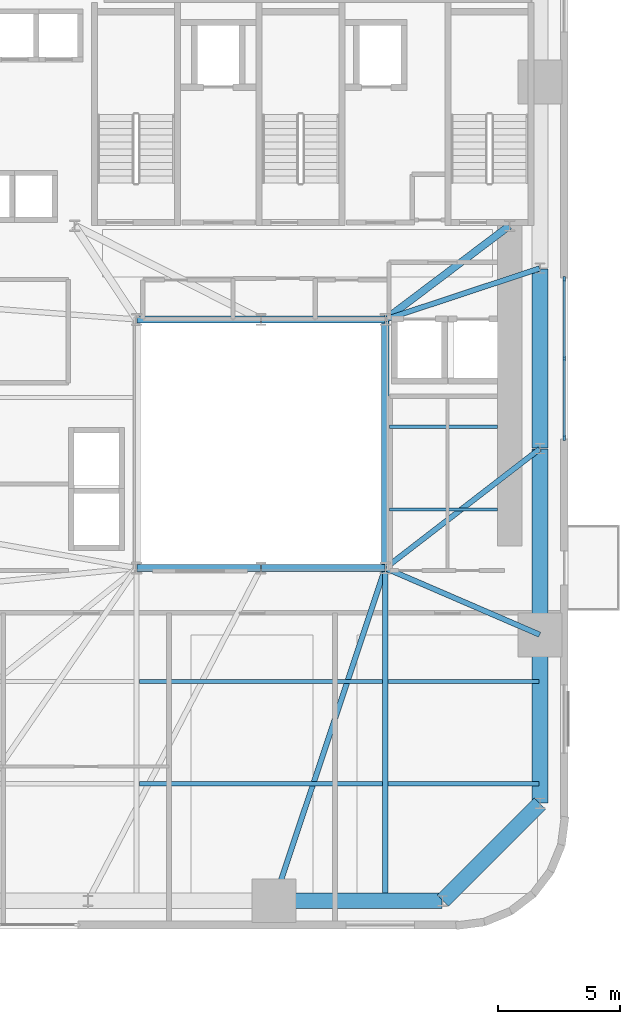
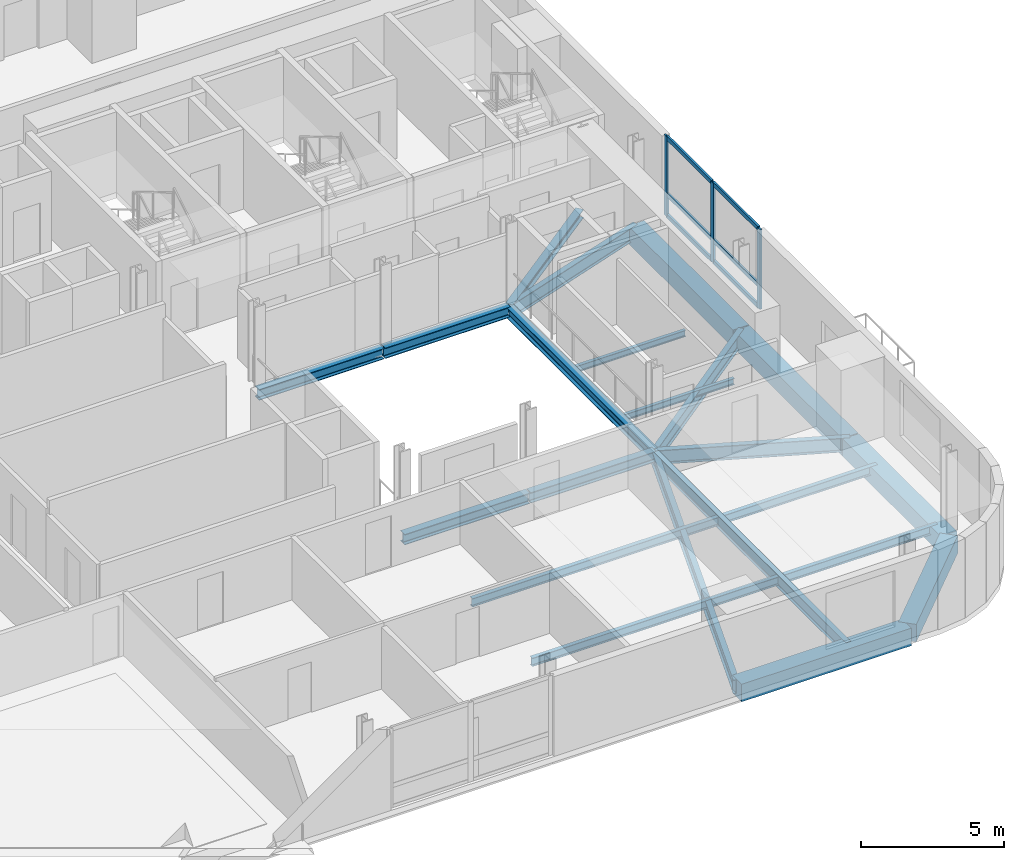
# One storey, part 3 of 11: 22 beams, 9 members, 1 element without a shape of its own.
"""IFC4 building model written with IfcOpenShell, lengths in metres."""

import ifcopenshell
import ifcopenshell.guid

model = None  # the IFC model being written
_history = None  # IfcOwnerHistory: only IFC2X3 demands one
_inside = {}  # id of a spatial element -> (the spatial element, [elements in it])
_under = {}  # id of a project, library or spatial element -> (it, [spatial elements below it])
_declared = {}  # id of a project -> (the project, [libraries it declares])
_typed = {}  # id of a type object -> (the type object, [elements of that type])
_made_of = {}  # id of a material, layer set ... -> (it, [elements and type objects made of it])


def new_model(schema):
    """Start an empty IFC model of exactly this schema.

    Asked for "IFC4X3", IfcOpenShell would pick the latest addendum, in which some entities
    have other attributes; the version numbers below select the first issue.
    IFC2X3 requires an IfcOwnerHistory on every rooted entity: one is made here for all.
    """
    global model, _history
    if schema == "IFC4X3":
        model = ifcopenshell.file(schema_version=(4, 3, 0, 0))
    else:
        model = ifcopenshell.file(schema=schema)
    _inside.clear()
    _under.clear()
    _declared.clear()
    _typed.clear()
    _made_of.clear()
    _history = None
    if model.schema == "IFC2X3":
        org = make("IfcOrganization", Name="unknown")
        user = make(
            "IfcPersonAndOrganization",
            ThePerson=make("IfcPerson", FamilyName="unknown"),
            TheOrganization=org,
        )
        app = make(
            "IfcApplication",
            ApplicationDeveloper=org,
            Version="unknown",
            ApplicationFullName="unknown",
            ApplicationIdentifier="unknown",
        )
        _history = make(
            "IfcOwnerHistory",
            OwningUser=user,
            OwningApplication=app,
            ChangeAction="ADDED",
            CreationDate=0,
        )
    return model


def make(cls, **values):
    """One entity of the class cls with the attributes given. An attribute that is None is left unset."""
    return model.create_entity(
        cls, **{name: value for name, value in values.items() if value is not None}
    )


def rooted(cls, **values):
    """An entity with a GlobalId (a new one), such as an element, a storey or a relation."""
    return make(cls, GlobalId=ifcopenshell.guid.new(), OwnerHistory=_history, **values)


def si_unit(unit_type, name, prefix=None):
    """IfcSIUnit, for example si_unit("LENGTHUNIT", "METRE", prefix="MILLI")."""
    return make("IfcSIUnit", UnitType=unit_type, Prefix=prefix, Name=name)


def assignment(units):
    """IfcUnitAssignment: the units of a project."""
    return None if units is None else make("IfcUnitAssignment", Units=units)


def point(xyz):
    """IfcCartesianPoint."""
    return None if xyz is None else make("IfcCartesianPoint", Coordinates=xyz)


def direction(xyz):
    """IfcDirection."""
    return None if xyz is None else make("IfcDirection", DirectionRatios=xyz)


def frame(location, z_axis=None, x_axis=None):
    """IfcAxis2Placement3D, a coordinate frame: its origin and axes. An axis left out is left unset."""
    return make(
        "IfcAxis2Placement3D",
        Location=point(location),
        Axis=direction(z_axis),
        RefDirection=direction(x_axis),
    )


def frame_2d(location, x_axis=None):
    """IfcAxis2Placement2D, a coordinate frame in the plane: its origin and x axis."""
    return make(
        "IfcAxis2Placement2D", Location=point(location), RefDirection=direction(x_axis)
    )


def origin():
    """The frame at (0, 0, 0) with its axes left unset."""
    return frame((0.0, 0.0, 0.0))


def origin_2d():
    """The frame at (0, 0) in the plane with its x axis left unset."""
    return frame_2d((0.0, 0.0))


def place(relative_to, where):
    """IfcLocalPlacement: puts the frame where relative to a parent placement (None: the world)."""
    return make(
        "IfcLocalPlacement", PlacementRelTo=relative_to, RelativePlacement=where
    )


def context(
    kind, dimensions, precision=None, world=None, true_north=None, identifier=None
):
    """IfcGeometricRepresentationContext, for example the 3D "Model" context."""
    return make(
        "IfcGeometricRepresentationContext",
        ContextIdentifier=identifier,
        ContextType=kind,
        CoordinateSpaceDimension=dimensions,
        Precision=precision,
        WorldCoordinateSystem=world,
        TrueNorth=true_north,
    )


def subcontext(parent, identifier, kind, view, scale=None):
    """IfcGeometricRepresentationSubContext, for example "Body" below "Model"."""
    return make(
        "IfcGeometricRepresentationSubContext",
        ContextIdentifier=identifier,
        ContextType=kind,
        ParentContext=parent,
        TargetScale=scale,
        TargetView=view,
    )


def project(units=None, contexts=None):
    """IfcProject with its units and contexts."""
    return rooted(
        "IfcProject",
        Name="project",
        RepresentationContexts=contexts,
        UnitsInContext=assignment(units),
    )


def spatial(cls, under=None, at=None, **own):
    """A site, building, storey or space (cls), placed at a placement, below another one or the project."""
    s = rooted(cls, ObjectPlacement=at, **own)
    if under is not None:
        _under.setdefault(under.id(), (under, []))[1].append(s)
    return s


def profile(cls, at=None, kind="AREA", **sizes):
    """A parametric profile (cls). Its sizes go by their IFC names, for example OverallWidth=200.0."""
    return make(cls, ProfileType=kind, Position=at, **sizes)


def rectangle(**sizes):
    """IfcRectangleProfileDef."""
    return profile("IfcRectangleProfileDef", **sizes)


def i_section(**sizes):
    """IfcIShapeProfileDef."""
    return profile("IfcIShapeProfileDef", **sizes)


def extrude(swept, where, along, depth):
    """IfcExtrudedAreaSolid: the profile swept, set in the frame where, extruded along a direction by depth."""
    return make(
        "IfcExtrudedAreaSolid",
        SweptArea=swept,
        Position=where,
        ExtrudedDirection=direction(along),
        Depth=depth,
    )


def shape(context_of_items, identifier, shape_type, items):
    """IfcShapeRepresentation: the items that make up one representation, for example the "Body"."""
    return make(
        "IfcShapeRepresentation",
        ContextOfItems=context_of_items,
        RepresentationIdentifier=identifier,
        RepresentationType=shape_type,
        Items=items,
    )


def source(mapping_origin, context_of_items, identifier, shape_type, items):
    """IfcRepresentationMap: a shape defined once, which mapped items show again and again."""
    return make(
        "IfcRepresentationMap",
        MappingOrigin=mapping_origin,
        MappedRepresentation=shape(context_of_items, identifier, shape_type, items),
    )


def transform(
    local_origin,
    x_axis=None,
    y_axis=None,
    z_axis=None,
    scale=None,
    scale2=None,
    scale3=None,
    uniform=True,
):
    """IfcCartesianTransformationOperator3D, or its non-uniform kind. x_axis, y_axis, z_axis: its Axis1, 2, 3."""
    if uniform:
        return make(
            "IfcCartesianTransformationOperator3D",
            Axis1=direction(x_axis),
            Axis2=direction(y_axis),
            LocalOrigin=point(local_origin),
            Scale=scale,
            Axis3=direction(z_axis),
        )
    return make(
        "IfcCartesianTransformationOperator3DnonUniform",
        Axis1=direction(x_axis),
        Axis2=direction(y_axis),
        LocalOrigin=point(local_origin),
        Scale=scale,
        Axis3=direction(z_axis),
        Scale2=scale2,
        Scale3=scale3,
    )


def mapped(mapping_source, mapping_target):
    """IfcMappedItem: shows the shape of a source again, moved by a transform."""
    return make(
        "IfcMappedItem", MappingSource=mapping_source, MappingTarget=mapping_target
    )


def material(Name=None, Category=None):
    """IfcMaterial."""
    return make("IfcMaterial", Name=Name, Category=Category)


def material_profile(
    of_material, cross_section, Name=None, Category=None, Priority=None
):
    """IfcMaterialProfile: a cross section and its material."""
    return make(
        "IfcMaterialProfile",
        Name=Name,
        Material=of_material,
        Profile=cross_section,
        Priority=Priority,
        Category=Category,
    )


def profile_set(profiles, Name=None, composite=None):
    """IfcMaterialProfileSet."""
    return make(
        "IfcMaterialProfileSet",
        Name=Name,
        MaterialProfiles=profiles,
        CompositeProfile=composite,
    )


def made_of(thing, what):
    """Note that an element or type object is made of a material, layer set ...; save() writes the relation."""
    if what is not None:
        _made_of.setdefault(what.id(), (what, []))[1].append(thing)
    return thing


def type_object(cls, material=None, **own):
    """A type object (cls), such as IfcWallType, which elements share."""
    return made_of(rooted(cls, **own), material)


def element(
    cls,
    number,
    at=None,
    inside=None,
    cuts=None,
    type_object=None,
    material=None,
    context=None,
    identifier="Body",
    shape_type=None,
    held_by="IfcProductDefinitionShape",
    body=None,
    shapes=None,
    **own,
):
    """One element of the class cls, such as IfcWall. Its Tag is "e" and its number.

    at: its placement. inside: the storey or other place that contains it. cuts: it is an
    opening in that element (IfcRelVoidsElement). A single representation is given by context,
    identifier, shape_type and body (its items); several are given by shapes. held_by: the class
    of the entity that holds the representations. save() writes the other relations.
    """
    e = rooted(cls, Tag="e%d" % number, ObjectPlacement=at, **own)
    if body is not None:
        shapes = [shape(context, identifier, shape_type, body)]
    if shapes is not None:
        e.Representation = make(held_by, Representations=shapes)
    if inside is not None:
        _inside.setdefault(inside.id(), (inside, []))[1].append(e)
    if cuts is not None:
        rooted(
            "IfcRelVoidsElement", RelatingBuildingElement=cuts, RelatedOpeningElement=e
        )
    if type_object is not None:
        _typed.setdefault(type_object.id(), (type_object, []))[1].append(e)
    return made_of(e, material)


def aggregate(whole, parts):
    """IfcRelAggregates: a whole, such as a stair, and the parts it consists of."""
    return rooted("IfcRelAggregates", RelatingObject=whole, RelatedObjects=parts)


def save(model, path):
    """Write the relations noted so far, then the file.

    IfcRelAggregates (storeys below a building ...), IfcRelContainedInSpatialStructure (elements
    in a storey), IfcRelDefinesByType, IfcRelAssociatesMaterial and IfcRelDeclares: one each for
    every whole, place, type object, material and project.
    """
    for whole, parts in _under.values():
        aggregate(whole, parts)
    for where, things in _inside.values():
        rooted(
            "IfcRelContainedInSpatialStructure",
            RelatedElements=things,
            RelatingStructure=where,
        )
    for kind, things in _typed.values():
        rooted("IfcRelDefinesByType", RelatedObjects=things, RelatingType=kind)
    for what, things in _made_of.values():
        rooted("IfcRelAssociatesMaterial", RelatedObjects=things, RelatingMaterial=what)
    for by, libraries in _declared.values():
        rooted("IfcRelDeclares", RelatingContext=by, RelatedDefinitions=libraries)
    model.write(path)


model = new_model("IFC4")

# Units and contexts
model_context = context("Model", 3, precision=1e-05, world=origin(), true_north=direction((0.0, 1.0)))
body_context = subcontext(model_context, "Body", "Model", "MODEL_VIEW")
ifc_project = project(units=[si_unit("LENGTHUNIT", "METRE"), si_unit("AREAUNIT", "SQUARE_METRE"), si_unit("VOLUMEUNIT", "CUBIC_METRE"), si_unit("PLANEANGLEUNIT", "RADIAN"), si_unit("MASSUNIT", "GRAM", prefix="KILO")], contexts=[model_context])

# Site, building, storey
site_placement = place(None, origin())
site = spatial("IfcSite", under=ifc_project, at=site_placement, CompositionType="ELEMENT")
building_placement = place(site_placement, origin())
building = spatial("IfcBuilding", under=site, at=building_placement, Name="Vardaveli Station Tower", CompositionType="ELEMENT")
storey_placement = place(building_placement, frame((0.0, 0.0, 78.699951171875)))
storey = spatial("IfcBuildingStorey", under=building, at=storey_placement, Name="L20", CompositionType="ELEMENT", Elevation=78.699951171875)

# Beams
ifc_material_1 = material(Name="Structural steel S355J2", Category="steel")
ifc_material_profile_1 = material_profile(ifc_material_1, i_section(OverallWidth=0.300048828125, OverallDepth=0.449951171875, WebThickness=0.013916015625, FlangeThickness=0.02587890625, FilletRadius=0.027099609375, at=origin_2d()), Name="HEB 450")
ifc_profile_set_1 = profile_set([ifc_material_profile_1], Name="Structural steel S355J2")
beam_type_1 = type_object("IfcBeamType", Name="BM-HEB450", PredefinedType="BEAM", material=ifc_profile_set_1)
shared_shape_1 = source(origin(), body_context, "Body", "SweptSolid", [
    extrude(i_section(OverallWidth=0.300048828125, OverallDepth=0.449951171875, WebThickness=0.013916015625, FlangeThickness=0.02587890625, FilletRadius=0.027099609375, at=origin_2d()), origin(), (0.0, 0.0, 1.0), 5.06005859375),
])
for number, where, z_axis, x_axis, name in (
    (1, (31.219970703125, 16.60009765625, -0.46484375), (1.0, 0.0, 0.0), (0.0, 1.0, 0.0), "ABM-L20-01"),
    (2, (36.280029296875, 26.800048828125, -0.46484375), (-1.0, 0.0, 0.0), (0.0, -1.0, 0.0), "ABM-L20-05"),
):
    element("IfcBeam", number, at=place(storey_placement, frame(where, z_axis=z_axis, x_axis=x_axis)), inside=storey, type_object=beam_type_1, Name=name, PredefinedType="BEAM", context=body_context, shape_type="MappedRepresentation", body=[
        mapped(shared_shape_1, transform((0.0, 0.0, 0.0), scale=1.0)),
    ])
shared_shape_2 = source(origin(), body_context, "Body", "SweptSolid", [
    extrude(i_section(OverallWidth=0.300048828125, OverallDepth=0.449951171875, WebThickness=0.013916015625, FlangeThickness=0.02587890625, FilletRadius=0.027099609375, at=origin_2d()), origin(), (0.0, 0.0, 1.0), 5.059814453125),
])
for number, where, z_axis, x_axis, name in (
    (3, (36.320068359375, 16.60009765625, -0.46484375), (1.0, 0.0, 0.0), (0.0, 1.0, 0.0), "ABM-L20-02"),
    (4, (41.3798828125, 26.800048828125, -0.46484375), (-1.0, 0.0, 0.0), (0.0, -1.0, 0.0), "ABM-L20-04"),
):
    element("IfcBeam", number, at=place(storey_placement, frame(where, z_axis=z_axis, x_axis=x_axis)), inside=storey, type_object=beam_type_1, Name=name, PredefinedType="BEAM", context=body_context, shape_type="MappedRepresentation", body=[
        mapped(shared_shape_2, transform((0.0, 0.0, 0.0), scale=1.0)),
    ])
shared_shape_3 = source(origin(), body_context, "Body", "SweptSolid", [
    extrude(i_section(OverallWidth=0.300048828125, OverallDepth=0.449951171875, WebThickness=0.013916015625, FlangeThickness=0.02587890625, FilletRadius=0.027099609375, at=origin_2d()), origin(), (0.0, 0.0, 1.0), 10.159912109375),
])
beam_1_placement = place(storey_placement, frame((41.39990234375, 16.6201171875, -0.46484375), z_axis=(0.0, 1.0, 0.0), x_axis=(-1.0, 0.0, 0.0)))
element("IfcBeam", 5, at=beam_1_placement, inside=storey, type_object=beam_type_1, Name="ABM-L20-03", PredefinedType="BEAM", context=body_context, shape_type="MappedRepresentation", body=[
    mapped(shared_shape_3, transform((0.0, 0.0, 0.0), scale=1.0)),
])
ifc_material_profile_2 = material_profile(ifc_material_1, i_section(OverallWidth=0.300048828125, OverallDepth=0.360107421875, WebThickness=0.012451171875, FlangeThickness=0.0224609375, FilletRadius=0.027099609375, at=origin_2d()), Name="HEB 360")
ifc_profile_set_2 = profile_set([ifc_material_profile_2], Name="Structural steel S355J2")
beam_type_2 = type_object("IfcBeamType", Name="BM-HEB360", PredefinedType="BEAM", material=ifc_profile_set_2)
shared_shape_4 = source(origin(), body_context, "Body", "SweptSolid", [
    extrude(i_section(OverallWidth=0.300048828125, OverallDepth=0.360107421875, WebThickness=0.012451171875, FlangeThickness=0.0224609375, FilletRadius=0.027099609375, at=origin_2d()), origin(), (0.0, 0.0, 1.0), 6.35009765625),
])
beam_2_placement = place(storey_placement, frame((41.416015625, 26.81201171875, -0.419921875), z_axis=(0.798118337722, 0.602500721154, 0.0), x_axis=(-0.602500721154, 0.798118337722, 0.0)))
element("IfcBeam", 6, at=beam_2_placement, inside=storey, type_object=beam_type_2, Name="CBM-L20-02", PredefinedType="BEAM", context=body_context, shape_type="MappedRepresentation", body=[
    mapped(shared_shape_4, transform((0.0, 0.0, 0.0), scale=1.0)),
])
ifc_material_2 = material(Name="Precast concrete C45/55", Category="concrete")
ifc_material_profile_3 = material_profile(ifc_material_2, rectangle(XDim=0.64990234375, YDim=0.75, at=origin_2d()), Name="LPB 650x750")
ifc_profile_set_3 = profile_set([ifc_material_profile_3], Name="Precast concrete C45/55")
beam_type_3 = type_object("IfcBeamType", Name="BM-LPB-750", PredefinedType="BEAM", material=ifc_profile_set_3)
shared_shape_5 = source(origin(), body_context, "Body", "SweptSolid", [
    extrude(rectangle(XDim=0.64990234375, YDim=0.75, at=origin_2d()), origin(), (0.0, 0.0, 1.0), 7.60009765625),
])
beam_3_placement = place(storey_placement, frame((47.75, 13.8798828125, -0.614990234375), z_axis=(0.0, 1.0, 0.0), x_axis=(-1.0, 0.0, 0.0)))
element("IfcBeam", 7, at=beam_3_placement, inside=storey, type_object=beam_type_3, Name="RBM-L20-07", PredefinedType="BEAM", context=body_context, shape_type="MappedRepresentation", body=[
    mapped(shared_shape_5, transform((0.0, 0.0, 0.0), scale=1.0)),
])
shared_shape_6 = source(origin(), body_context, "Body", "SweptSolid", [
    extrude(rectangle(XDim=0.64990234375, YDim=0.75, at=origin_2d()), origin(), (0.0, 0.0, 1.0), 7.35986328125),
])
beam_4_placement = place(storey_placement, frame((47.75, 21.52001953125, -0.614990234375), z_axis=(0.0, 1.0, 0.0), x_axis=(-1.0, 0.0, 0.0)))
element("IfcBeam", 8, at=beam_4_placement, inside=storey, type_object=beam_type_3, Name="RBM-L20-08", PredefinedType="BEAM", context=body_context, shape_type="MappedRepresentation", body=[
    mapped(shared_shape_6, transform((0.0, 0.0, 0.0), scale=1.0)),
])
shared_shape_7 = source(origin(), body_context, "Body", "SweptSolid", [
    extrude(rectangle(XDim=0.64990234375, YDim=0.75, at=origin_2d()), origin(), (0.0, 0.0, 1.0), 6.869873046875),
])
beam_5_placement = place(storey_placement, frame((36.860107421875, 2.949951171875, -0.614990234375), z_axis=(1.0, 0.0, 0.0), x_axis=(0.0, 1.0, 0.0)))
element("IfcBeam", 9, at=beam_5_placement, inside=storey, type_object=beam_type_3, Name="RBM-L20-04", PredefinedType="BEAM", context=body_context, shape_type="MappedRepresentation", body=[
    mapped(shared_shape_7, transform((0.0, 0.0, 0.0), scale=1.0)),
])
shared_shape_8 = source(origin(), body_context, "Body", "SweptSolid", [
    extrude(rectangle(XDim=0.64990234375, YDim=0.75, at=origin_2d()), origin(), (0.0, 0.0, 1.0), 5.61669921875),
])
beam_6_placement = place(storey_placement, frame((43.76416015625, 2.964111328125, -0.614990234375), z_axis=(0.707106781187, 0.707106781187, 0.0), x_axis=(-0.707106781187, 0.707106781187, 0.0)))
element("IfcBeam", 10, at=beam_6_placement, inside=storey, type_object=beam_type_3, Name="RBM-L20-05", PredefinedType="BEAM", context=body_context, shape_type="MappedRepresentation", body=[
    mapped(shared_shape_8, transform((0.0, 0.0, 0.0), scale=1.0)),
])
shared_shape_9 = source(origin(), body_context, "Body", "SweptSolid", [
    extrude(rectangle(XDim=0.64990234375, YDim=0.75, at=origin_2d()), origin(), (0.0, 0.0, 1.0), 6.8701171875),
])
beam_7_placement = place(storey_placement, frame((47.75, 6.969970703125, -0.614990234375), z_axis=(0.0, 1.0, 0.0), x_axis=(-1.0, 0.0, 0.0)))
element("IfcBeam", 11, at=beam_7_placement, inside=storey, type_object=beam_type_3, Name="RBM-L20-06", PredefinedType="BEAM", context=body_context, shape_type="MappedRepresentation", body=[
    mapped(shared_shape_9, transform((0.0, 0.0, 0.0), scale=1.0)),
])
ifc_material_profile_4 = material_profile(ifc_material_1, i_section(OverallWidth=0.219970703125, OverallDepth=0.60009765625, WebThickness=0.011962890625, FlangeThickness=0.01904296875, FilletRadius=0.02392578125, at=origin_2d()), Name="IPE 600")
ifc_profile_set_4 = profile_set([ifc_material_profile_4], Name="Structural steel S355J2")
beam_type_4 = type_object("IfcBeamType", Name="BM-IPE600", PredefinedType="BEAM", material=ifc_profile_set_4)
shared_shape_10 = source(origin(), body_context, "Body", "SweptSolid", [
    extrude(i_section(OverallWidth=0.219970703125, OverallDepth=0.60009765625, WebThickness=0.011962890625, FlangeThickness=0.01904296875, FilletRadius=0.02392578125, at=origin_2d()), origin(), (0.0, 0.0, 1.0), 14.3515625),
])
beam_8_placement = place(storey_placement, frame((36.846435546875, 2.968994140625, -0.5400390625), z_axis=(0.316840115921, 0.948478961782, 0.0), x_axis=(-0.948478961782, 0.316840115921, 0.0)))
element("IfcBeam", 12, at=beam_8_placement, inside=storey, type_object=beam_type_4, Name="GBM-L20-04", PredefinedType="BEAM", context=body_context, shape_type="MappedRepresentation", body=[
    mapped(shared_shape_10, transform((0.0, 0.0, 0.0), scale=1.0)),
])
shared_shape_11 = source(origin(), body_context, "Body", "SweptSolid", [
    extrude(i_section(OverallWidth=0.219970703125, OverallDepth=0.60009765625, WebThickness=0.011962890625, FlangeThickness=0.01904296875, FilletRadius=0.02392578125, at=origin_2d()), origin(), (0.0, 0.0, 1.0), 6.8759765625),
])
beam_9_placement = place(storey_placement, frame((47.731689453125, 13.867919921875, -0.5400390625), z_axis=(-0.918170694621, 0.396185026899, 0.0), x_axis=(-0.396185026899, -0.918170694621, 0.0)))
element("IfcBeam", 13, at=beam_9_placement, inside=storey, type_object=beam_type_4, Name="GBM-L20-05", PredefinedType="BEAM", context=body_context, shape_type="MappedRepresentation", body=[
    mapped(shared_shape_11, transform((0.0, 0.0, 0.0), scale=1.0)),
])
shared_shape_12 = source(origin(), body_context, "Body", "SweptSolid", [
    extrude(i_section(OverallWidth=0.219970703125, OverallDepth=0.60009765625, WebThickness=0.011962890625, FlangeThickness=0.01904296875, FilletRadius=0.02392578125, at=origin_2d()), origin(), (0.0, 0.0, 1.0), 7.980712890625),
])
beam_10_placement = place(storey_placement, frame((47.734130859375, 21.48779296875, -0.5400390625), z_axis=(-0.791701934907, -0.610907559509, 0.0), x_axis=(0.610907559509, -0.791701934907, 0.0)))
element("IfcBeam", 14, at=beam_10_placement, inside=storey, type_object=beam_type_4, Name="GBM-L20-06", PredefinedType="BEAM", context=body_context, shape_type="MappedRepresentation", body=[
    mapped(shared_shape_12, transform((0.0, 0.0, 0.0), scale=1.0)),
])
shared_shape_13 = source(origin(), body_context, "Body", "SweptSolid", [
    extrude(i_section(OverallWidth=0.219970703125, OverallDepth=0.60009765625, WebThickness=0.011962890625, FlangeThickness=0.01904296875, FilletRadius=0.02392578125, at=origin_2d()), origin(), (0.0, 0.0, 1.0), 6.648193359375),
])
beam_11_placement = place(storey_placement, frame((47.73095703125, 28.893798828125, -0.5400390625), z_axis=(-0.949429779906, -0.313979446824, 0.0), x_axis=(0.313979446824, -0.949429779906, 0.0)))
element("IfcBeam", 15, at=beam_11_placement, inside=storey, type_object=beam_type_4, Name="GBM-L20-07", PredefinedType="BEAM", context=body_context, shape_type="MappedRepresentation", body=[
    mapped(shared_shape_13, transform((0.0, 0.0, 0.0), scale=1.0)),
])
ifc_material_profile_5 = material_profile(ifc_material_1, i_section(OverallWidth=0.2099609375, OverallDepth=0.550048828125, WebThickness=0.010986328125, FlangeThickness=0.01708984375, FilletRadius=0.02392578125, at=origin_2d()), Name="IPE 550")
ifc_profile_set_5 = profile_set([ifc_material_profile_5], Name="Structural steel S355J2")
beam_type_5 = type_object("IfcBeamType", Name="BM-IPE550", PredefinedType="BEAM", material=ifc_profile_set_5)
shared_shape_14 = source(origin(), body_context, "Body", "SweptSolid", [
    extrude(i_section(OverallWidth=0.2099609375, OverallDepth=0.550048828125, WebThickness=0.010986328125, FlangeThickness=0.01708984375, FilletRadius=0.02392578125, at=origin_2d()), origin(), (0.0, 0.0, 1.0), 13.469970703125),
])
beam_12_placement = place(storey_placement, frame((41.39990234375, 2.989990234375, -0.514892578125), z_axis=(0.0, 1.0, 0.0), x_axis=(-1.0, 0.0, 0.0)))
element("IfcBeam", 16, at=beam_12_placement, inside=storey, type_object=beam_type_5, Name="NSM-L20-S2", PredefinedType="BEAM", context=body_context, shape_type="MappedRepresentation", body=[
    mapped(shared_shape_14, transform((0.0, 0.0, 0.0), scale=1.0)),
])
ifc_material_profile_6 = material_profile(ifc_material_1, i_section(OverallWidth=0.169921875, OverallDepth=0.360107421875, WebThickness=0.008056640625, FlangeThickness=0.0126953125, FilletRadius=0.01806640625, at=origin_2d()), Name="IPE 360")
ifc_profile_set_6 = profile_set([ifc_material_profile_6], Name="Structural steel S355J2")
beam_type_6 = type_object("IfcBeamType", Name="BM-IPE360", PredefinedType="JOIST", material=ifc_profile_set_6)
shared_shape_15 = source(origin(), body_context, "Body", "SweptSolid", [
    extrude(i_section(OverallWidth=0.169921875, OverallDepth=0.360107421875, WebThickness=0.008056640625, FlangeThickness=0.0126953125, FilletRadius=0.01806640625, at=origin_2d()), origin(), (0.0, 0.0, 1.0), 9.97607421875),
])
for number, where, z_axis, x_axis, name in (
    (17, (31.31201171875, 7.75, -0.419921875), (1.0, 0.0, 0.0), (0.0, 1.0, 0.0), "SJ-L20-S02"),
    (18, (31.31201171875, 11.949951171875, -0.419921875), (1.0, 0.0, 0.0), (0.0, 1.0, 0.0), "SJ-L20-S05"),
):
    element("IfcBeam", number, at=place(storey_placement, frame(where, z_axis=z_axis, x_axis=x_axis)), inside=storey, type_object=beam_type_6, Name=name, PredefinedType="JOIST", context=body_context, shape_type="MappedRepresentation", body=[
        mapped(shared_shape_15, transform((0.0, 0.0, 0.0), scale=1.0)),
    ])
shared_shape_16 = source(origin(), body_context, "Body", "SweptSolid", [
    extrude(i_section(OverallWidth=0.169921875, OverallDepth=0.360107421875, WebThickness=0.008056640625, FlangeThickness=0.0126953125, FilletRadius=0.01806640625, at=origin_2d()), origin(), (0.0, 0.0, 1.0), 6.197998046875),
])
for number, where, z_axis, x_axis, name in (
    (19, (41.511962890625, 7.75, -0.419921875), (1.0, 0.0, 0.0), (0.0, 1.0, 0.0), "SJ-L20-S03"),
    (20, (41.511962890625, 11.949951171875, -0.419921875), (1.0, 0.0, 0.0), (0.0, 1.0, 0.0), "SJ-L20-S06"),
):
    element("IfcBeam", number, at=place(storey_placement, frame(where, z_axis=z_axis, x_axis=x_axis)), inside=storey, type_object=beam_type_6, Name=name, PredefinedType="JOIST", context=body_context, shape_type="MappedRepresentation", body=[
        mapped(shared_shape_16, transform((0.0, 0.0, 0.0), scale=1.0)),
    ])
ifc_material_profile_7 = material_profile(ifc_material_1, i_section(OverallWidth=0.135009765625, OverallDepth=0.27001953125, WebThickness=0.006591796875, FlangeThickness=0.01025390625, FilletRadius=0.014892578125, at=origin_2d()), Name="IPE 270")
ifc_profile_set_7 = profile_set([ifc_material_profile_7], Name="Structural steel S355J2")
beam_type_7 = type_object("IfcBeamType", Name="BM-IPE270", PredefinedType="BEAM", material=ifc_profile_set_7)
shared_shape_17 = source(origin(), body_context, "Body", "SweptSolid", [
    extrude(i_section(OverallWidth=0.135009765625, OverallDepth=0.27001953125, WebThickness=0.006591796875, FlangeThickness=0.01025390625, FilletRadius=0.014892578125, at=origin_2d()), origin(), (0.0, 0.0, 1.0), 4.43017578125),
])
for number, where, z_axis, x_axis, name in (
    (21, (41.56494140625, 19.0, -0.375), (1.0, 0.0, 0.0), (0.0, 1.0, 0.0), "TJ-L20-01"),
    (22, (41.56494140625, 22.39990234375, -0.375), (1.0, 0.0, 0.0), (0.0, 1.0, 0.0), "TJ-L20-02"),
):
    element("IfcBeam", number, at=place(storey_placement, frame(where, z_axis=z_axis, x_axis=x_axis)), inside=storey, type_object=beam_type_7, Name=name, PredefinedType="BEAM", context=body_context, shape_type="MappedRepresentation", body=[
        mapped(shared_shape_17, transform((0.0, 0.0, 0.0), scale=1.0)),
    ])

# Curtain wall, members
ifc_material_3 = material(Name="Travertine stone and solar-control glass", Category="masonry")
curtain_wall_type = type_object("IfcCurtainWallType", Name="CW-SYS-2", PredefinedType="NOTDEFINED", material=ifc_material_3)
curtain_wall_placement = place(storey_placement, origin())
curtain_wall = element("IfcCurtainWall", 23, at=curtain_wall_placement, inside=storey, type_object=curtain_wall_type, Name="CW-L20-E", PredefinedType="NOTDEFINED")
ifc_material_4 = material(Name="Anodised aluminium alloy 6063-T6", Category="aluminium")
ifc_material_profile_8 = material_profile(ifc_material_4, rectangle(XDim=0.0849609375, YDim=0.179931640625, at=origin_2d()), Name="CWT 85x180")
ifc_profile_set_8 = profile_set([ifc_material_profile_8], Name="Anodised aluminium alloy 6063-T6")
member_type_1 = type_object("IfcMemberType", Name="CW-SYS-2-TRAN", PredefinedType="NOTDEFINED", material=ifc_profile_set_8)
shared_shape_18 = source(origin(), body_context, "Body", "SweptSolid", [
    extrude(rectangle(XDim=0.0849609375, YDim=0.179931640625, at=origin_2d()), origin(), (0.0, 0.0, 1.0), 3.172607421875),
])
member_1_placement = place(storey_placement, frame((48.739990234375, 25.242431640625, 0.04248046875), z_axis=(0.0, 1.0, 0.0), x_axis=(-1.0, 0.0, 0.0)))
member_1 = element("IfcMember", 24, at=member_1_placement, type_object=member_type_1, Name="CW-2 transom 2.1", ObjectType="TRANSOM", PredefinedType="USERDEFINED", context=body_context, shape_type="MappedRepresentation", body=[
    mapped(shared_shape_18, transform((0.0, 0.0, 0.0), scale=1.0)),
])
member_2_placement = place(storey_placement, frame((48.739990234375, 25.242431640625, 0.949951171875), z_axis=(0.0, 1.0, 0.0), x_axis=(-1.0, 0.0, 0.0)))
member_2 = element("IfcMember", 25, at=member_2_placement, type_object=member_type_1, Name="CW-2 transom 2.2", ObjectType="TRANSOM", PredefinedType="USERDEFINED", context=body_context, shape_type="MappedRepresentation", body=[
    mapped(shared_shape_18, transform((0.0, 0.0, 0.0), scale=1.0)),
])
member_3_placement = place(storey_placement, frame((48.739990234375, 25.242431640625, 3.367431640625), z_axis=(0.0, 1.0, 0.0), x_axis=(-1.0, 0.0, 0.0)))
member_3 = element("IfcMember", 26, at=member_3_placement, type_object=member_type_1, Name="CW-2 transom 2.3", ObjectType="TRANSOM", PredefinedType="USERDEFINED", context=body_context, shape_type="MappedRepresentation", body=[
    mapped(shared_shape_18, transform((0.0, 0.0, 0.0), scale=1.0)),
])
shared_shape_19 = source(origin(), body_context, "Body", "SweptSolid", [
    extrude(rectangle(XDim=0.0849609375, YDim=0.179931640625, at=origin_2d()), origin(), (0.0, 0.0, 1.0), 3.17236328125),
])
member_4_placement = place(storey_placement, frame((48.739990234375, 21.985107421875, 0.04248046875), z_axis=(0.0, 1.0, 0.0), x_axis=(-1.0, 0.0, 0.0)))
member_4 = element("IfcMember", 27, at=member_4_placement, type_object=member_type_1, Name="CW-2 transom 1.1", ObjectType="TRANSOM", PredefinedType="USERDEFINED", context=body_context, shape_type="MappedRepresentation", body=[
    mapped(shared_shape_19, transform((0.0, 0.0, 0.0), scale=1.0)),
])
member_5_placement = place(storey_placement, frame((48.739990234375, 21.985107421875, 0.949951171875), z_axis=(0.0, 1.0, 0.0), x_axis=(-1.0, 0.0, 0.0)))
member_5 = element("IfcMember", 28, at=member_5_placement, type_object=member_type_1, Name="CW-2 transom 1.2", ObjectType="TRANSOM", PredefinedType="USERDEFINED", context=body_context, shape_type="MappedRepresentation", body=[
    mapped(shared_shape_19, transform((0.0, 0.0, 0.0), scale=1.0)),
])
member_6_placement = place(storey_placement, frame((48.739990234375, 21.985107421875, 3.367431640625), z_axis=(0.0, 1.0, 0.0), x_axis=(-1.0, 0.0, 0.0)))
member_6 = element("IfcMember", 29, at=member_6_placement, type_object=member_type_1, Name="CW-2 transom 1.3", ObjectType="TRANSOM", PredefinedType="USERDEFINED", context=body_context, shape_type="MappedRepresentation", body=[
    mapped(shared_shape_19, transform((0.0, 0.0, 0.0), scale=1.0)),
])
ifc_material_profile_9 = material_profile(ifc_material_4, rectangle(XDim=0.0849609375, YDim=0.219970703125, at=origin_2d()), Name="CWM 85x220")
ifc_profile_set_9 = profile_set([ifc_material_profile_9], Name="Anodised aluminium alloy 6063-T6")
member_type_2 = type_object("IfcMemberType", Name="CW-SYS-2-MULL", PredefinedType="MULLION", material=ifc_profile_set_9)
shared_shape_20 = source(origin(), body_context, "Body", "SweptSolid", [
    extrude(rectangle(XDim=0.0849609375, YDim=0.219970703125, at=origin_2d()), origin(), (0.0, 0.0, 1.0), 3.41015625),
])
member_7_placement = place(storey_placement, frame((48.739990234375, 21.9423828125, 0.0), z_axis=(0.0, 0.0, 1.0), x_axis=(-1.0, 0.0, 0.0)))
member_7 = element("IfcMember", 30, at=member_7_placement, type_object=member_type_2, Name="CW-2 mullion 1", PredefinedType="MULLION", context=body_context, shape_type="MappedRepresentation", body=[
    mapped(shared_shape_20, transform((0.0, 0.0, 0.0), scale=1.0)),
])
member_8_placement = place(storey_placement, frame((48.739990234375, 25.199951171875, 0.0), z_axis=(0.0, 0.0, 1.0), x_axis=(-1.0, 0.0, 0.0)))
member_8 = element("IfcMember", 31, at=member_8_placement, type_object=member_type_2, Name="CW-2 mullion 2", PredefinedType="MULLION", context=body_context, shape_type="MappedRepresentation", body=[
    mapped(shared_shape_20, transform((0.0, 0.0, 0.0), scale=1.0)),
])
member_9_placement = place(storey_placement, frame((48.739990234375, 28.45751953125, 0.0), z_axis=(0.0, 0.0, 1.0), x_axis=(-1.0, 0.0, 0.0)))
member_9 = element("IfcMember", 32, at=member_9_placement, type_object=member_type_2, Name="CW-2 mullion 3", PredefinedType="MULLION", context=body_context, shape_type="MappedRepresentation", body=[
    mapped(shared_shape_20, transform((0.0, 0.0, 0.0), scale=1.0)),
])
aggregate(curtain_wall, [member_7, member_8, member_9, member_4, member_5, member_6, member_1, member_2, member_3])

save(model, "model.ifc")
